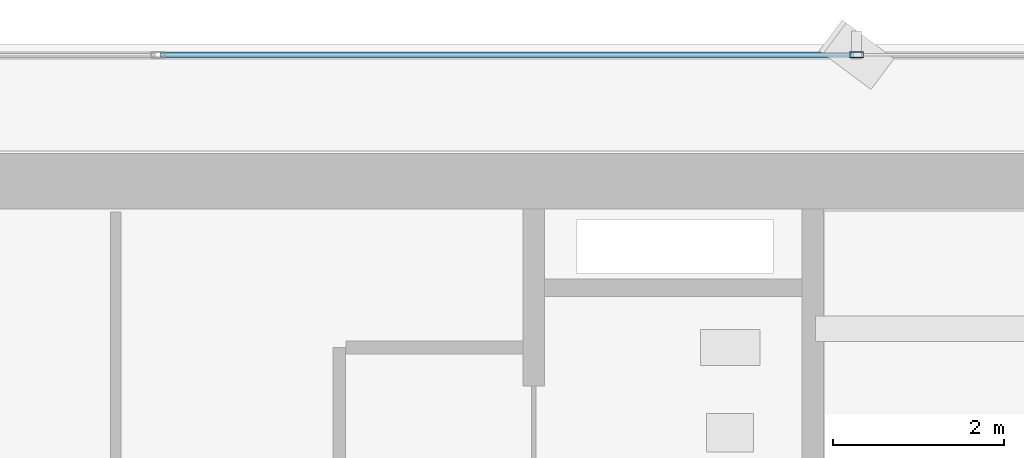
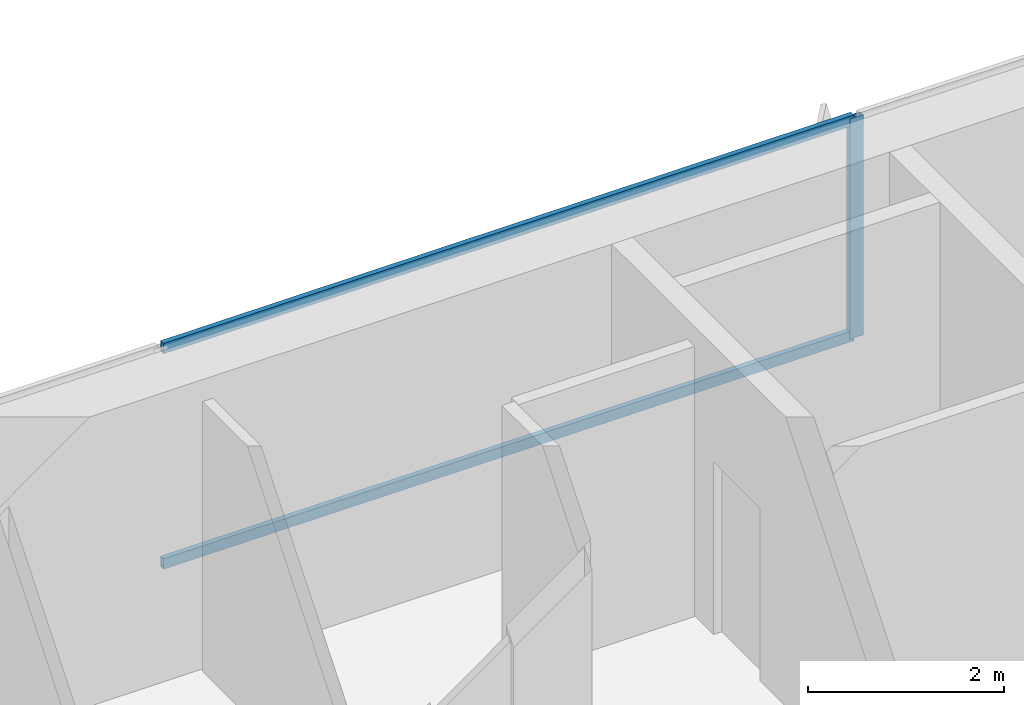
# One storey, part 25 of 36: 3 members, 1 element without a shape of its own.
"""IFC4 building model written with IfcOpenShell, lengths in metres."""

from ifc_helpers import new_model, si_unit, direction, frame, origin, origin_2d, place, context, subcontext, project, spatial, hollow_rectangle, extrude, source, transform, mapped, material, layer, layer_set, material_profile, profile_set, type_object, element, aggregate, save


model = new_model("IFC4")

# Units and contexts
model_context = context("Model", 3, precision=1e-05, world=origin(), true_north=direction((0.0, 1.0)))
body_context = subcontext(model_context, "Body", "Model", "MODEL_VIEW")
ifc_project = project(units=[si_unit("LENGTHUNIT", "METRE"), si_unit("AREAUNIT", "SQUARE_METRE"), si_unit("VOLUMEUNIT", "CUBIC_METRE"), si_unit("PLANEANGLEUNIT", "RADIAN"), si_unit("MASSUNIT", "GRAM", prefix="KILO")], contexts=[model_context])

# Site, building, storey
site_placement = place(None, origin())
site = spatial("IfcSite", under=ifc_project, at=site_placement, CompositionType="ELEMENT")
building_placement = place(site_placement, origin())
building = spatial("IfcBuilding", under=site, at=building_placement, Name="Sumidabori Civic Tower", CompositionType="ELEMENT")
storey_placement = place(building_placement, frame((0.0, 0.0, 84.800048828125)))
storey = spatial("IfcBuildingStorey", under=building, at=storey_placement, Name="L21", CompositionType="ELEMENT", Elevation=84.800048828125)

# Curtain wall, members
ifc_material = material(Name="Anodised Bronze Aluminium AW-6063-T6", Category="aluminium")
ifc_layer = layer(ifc_material, 0.179931640625, Name="Anodised Bronze Aluminium AW-6063-T6")
ifc_layer_set = layer_set([ifc_layer], Name="Anodised Bronze Aluminium AW-6063-T6")
curtain_wall_type = type_object("IfcCurtainWallType", Name="CW-SYS-3", PredefinedType="NOTDEFINED", material=ifc_layer_set)
curtain_wall_placement = place(storey_placement, origin())
curtain_wall = element("IfcCurtainWall", 1, at=curtain_wall_placement, inside=storey, type_object=curtain_wall_type, Name="Curtain Wall CW:L21:R07", PredefinedType="NOTDEFINED")
ifc_material_profile_1 = material_profile(ifc_material, hollow_rectangle(XDim=0.06494140625, YDim=0.159912109375, WallThickness=0.0048828125, at=origin_2d()), Name="ALU MULLION 160x65")
ifc_profile_set_1 = profile_set([ifc_material_profile_1], Name="Anodised Bronze Aluminium AW-6063-T6")
member_type_1 = type_object("IfcMemberType", Name="CW-MUL-160", PredefinedType="MULLION", material=ifc_profile_set_1)
shared_shape_1 = source(origin(), body_context, "Body", "SweptSolid", [
    extrude(hollow_rectangle(XDim=0.06494140625, YDim=0.159912109375, WallThickness=0.0048828125, at=origin_2d()), origin(), (0.0, 0.0, 1.0), 2.739990234375),
])
member_1_placement = place(storey_placement, frame((12.281982421875, 25.280029296875, 0.0), z_axis=(0.0, 0.0, 1.0), x_axis=(0.0, -1.0, 0.0)))
member_1 = element("IfcMember", 2, at=member_1_placement, type_object=member_type_1, Name="CW-3 mullion 2", PredefinedType="MULLION", context=body_context, shape_type="MappedRepresentation", body=[
    mapped(shared_shape_1, transform((0.0, 0.0, 0.0), x_axis=(1.0, 0.0, 0.0), y_axis=(0.0, 1.0, 0.0), z_axis=(0.0, 0.0, 1.0), scale=1.0)),
])
ifc_material_profile_2 = material_profile(ifc_material, hollow_rectangle(XDim=0.06005859375, YDim=0.1298828125, WallThickness=0.0048828125, at=origin_2d()), Name="ALU TRANSOM 130x60")
ifc_profile_set_2 = profile_set([ifc_material_profile_2], Name="Anodised Bronze Aluminium AW-6063-T6")
member_type_2 = type_object("IfcMemberType", Name="CW-TRN-130", PredefinedType="USERDEFINED", material=ifc_profile_set_2)
shared_shape_2 = source(origin(), body_context, "Body", "SweptSolid", [
    extrude(hollow_rectangle(XDim=0.06005859375, YDim=0.1298828125, WallThickness=0.0048828125, at=origin_2d()), origin(), (0.0, 0.0, 1.0), 8.123046875),
])
member_2_placement = place(storey_placement, frame((12.24951171875, 25.280029296875, 0.030029296875), z_axis=(-1.0, 0.0, 0.0), x_axis=(0.0, -1.0, 0.0)))
member_2 = element("IfcMember", 3, at=member_2_placement, type_object=member_type_2, Name="CW-3 transom 2.1", ObjectType="TRANSOM", PredefinedType="USERDEFINED", context=body_context, shape_type="MappedRepresentation", body=[
    mapped(shared_shape_2, transform((0.0, 0.0, 0.0), x_axis=(1.0, 0.0, 0.0), y_axis=(0.0, 1.0, 0.0), z_axis=(0.0, 0.0, 1.0), scale=1.0)),
])
member_3_placement = place(storey_placement, frame((12.24951171875, 25.280029296875, 2.7099609375), z_axis=(-1.0, 0.0, 0.0), x_axis=(0.0, -1.0, 0.0)))
member_3 = element("IfcMember", 4, at=member_3_placement, type_object=member_type_2, Name="CW-3 transom 2.2", ObjectType="TRANSOM", PredefinedType="USERDEFINED", context=body_context, shape_type="MappedRepresentation", body=[
    mapped(shared_shape_2, transform((0.0, 0.0, 0.0), x_axis=(1.0, 0.0, 0.0), y_axis=(0.0, 1.0, 0.0), z_axis=(0.0, 0.0, 1.0), scale=1.0)),
])
aggregate(curtain_wall, [member_1, member_2, member_3])

save(model, "model.ifc")
